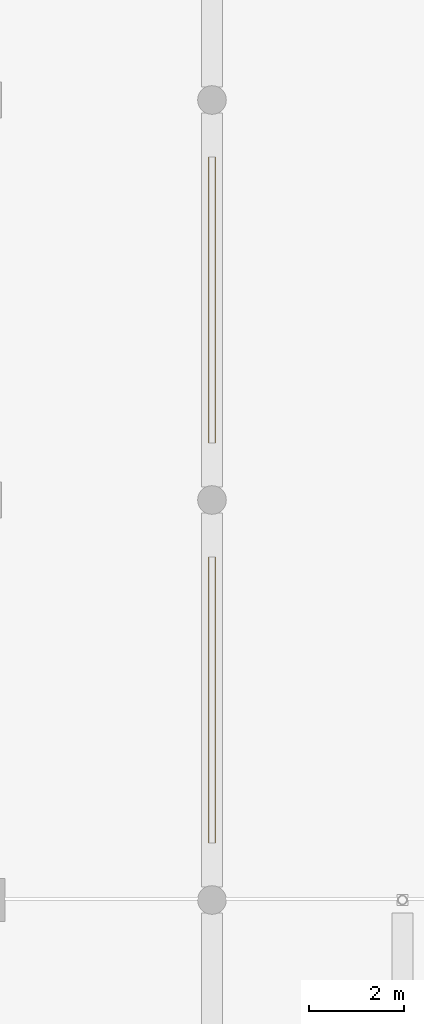
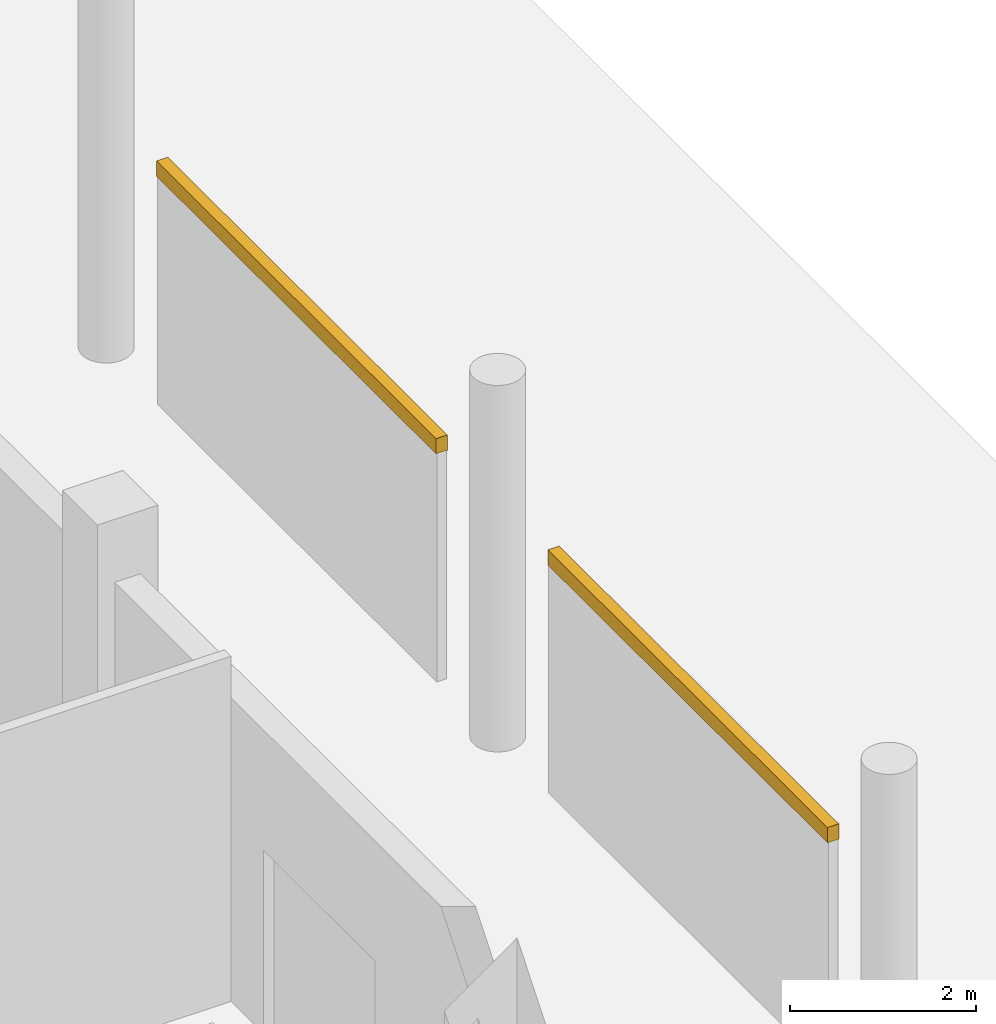
# One storey, part 128 of 130: 2 shading devices.
"""IFC4 building model written with IfcOpenShell, lengths in metres."""

from ifc_helpers import new_model, si_unit, direction, frame, origin, origin_2d, place, context, subcontext, project, spatial, rectangle, extrude, material, layer, layer_set, type_object, element, save


model = new_model("IFC4")

# Units and contexts
model_context = context("Model", 3, precision=1e-05, world=origin(), true_north=direction((0.0, 1.0)))
body_context = subcontext(model_context, "Body", "Model", "MODEL_VIEW")
ifc_project = project(units=[si_unit("LENGTHUNIT", "METRE"), si_unit("AREAUNIT", "SQUARE_METRE"), si_unit("VOLUMEUNIT", "CUBIC_METRE"), si_unit("PLANEANGLEUNIT", "RADIAN"), si_unit("MASSUNIT", "GRAM", prefix="KILO"), si_unit("THERMODYNAMICTEMPERATUREUNIT", "KELVIN")], contexts=[model_context])

# Site, building, storey
site_placement = place(None, origin())
site = spatial("IfcSite", under=ifc_project, at=site_placement, CompositionType="ELEMENT")
building_placement = place(site_placement, origin())
building = spatial("IfcBuilding", under=site, at=building_placement, Name="Nduvali Passage Aquatics Centre", CompositionType="ELEMENT")
storey_placement = place(building_placement, origin())
storey = spatial("IfcBuildingStorey", under=building, at=storey_placement, Name="L00", CompositionType="ELEMENT", Elevation=0.0)

# Shading devices
ifc_material = material(Name="Coral-stone masonry blockwork", Category="masonry")
ifc_layer = layer(ifc_material, 0.199951171875, Name="Coral-stone masonry blockwork")
ifc_layer_set = layer_set([ifc_layer], Name="Coral-stone masonry blockwork")
shading_device_type = type_object("IfcShadingDeviceType", Name="ENV-SHD-JAL1", PredefinedType="JALOUSIE", material=ifc_layer_set)
for number, where, z_axis, x_axis, name in (
    (1, (130.800048828125, 96.60009765625, 2.990234375), (0.0, 0.0, 1.0), (0.0, 1.0, 0.0), "L00 Monsoon Jalousie Grille 03"),
    (2, (130.800048828125, 105.0, 2.990234375), (0.0, 0.0, 1.0), (0.0, 1.0, 0.0), "L00 Monsoon Jalousie Grille 04"),
):
    element("IfcShadingDevice", number, at=place(storey_placement, frame(where, z_axis=z_axis, x_axis=x_axis)), inside=storey, type_object=shading_device_type, Name=name, PredefinedType="JALOUSIE", context=body_context, shape_type="SweptSolid", body=[
        extrude(rectangle(XDim=6.0, YDim=0.139892578125, at=origin_2d()), origin(), (0.0, 0.0, 1.0), 0.199951171875),
    ])

save(model, "model.ifc")
